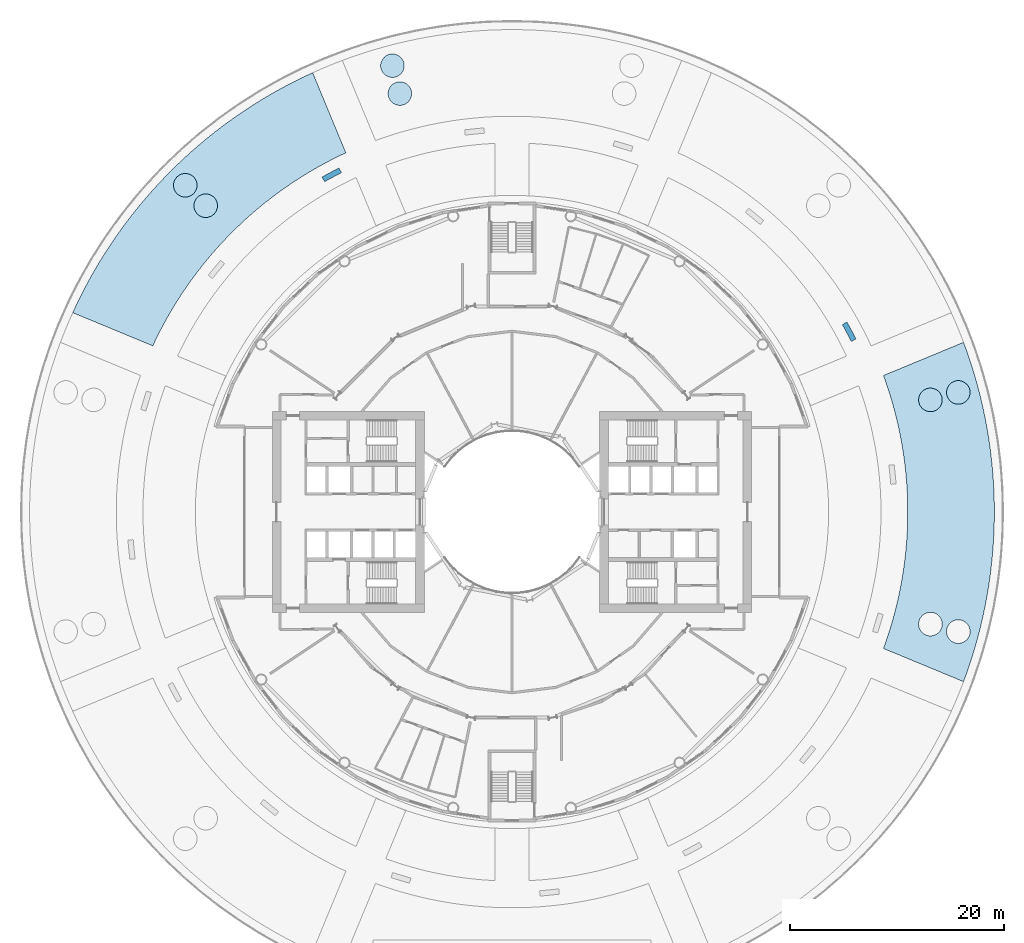
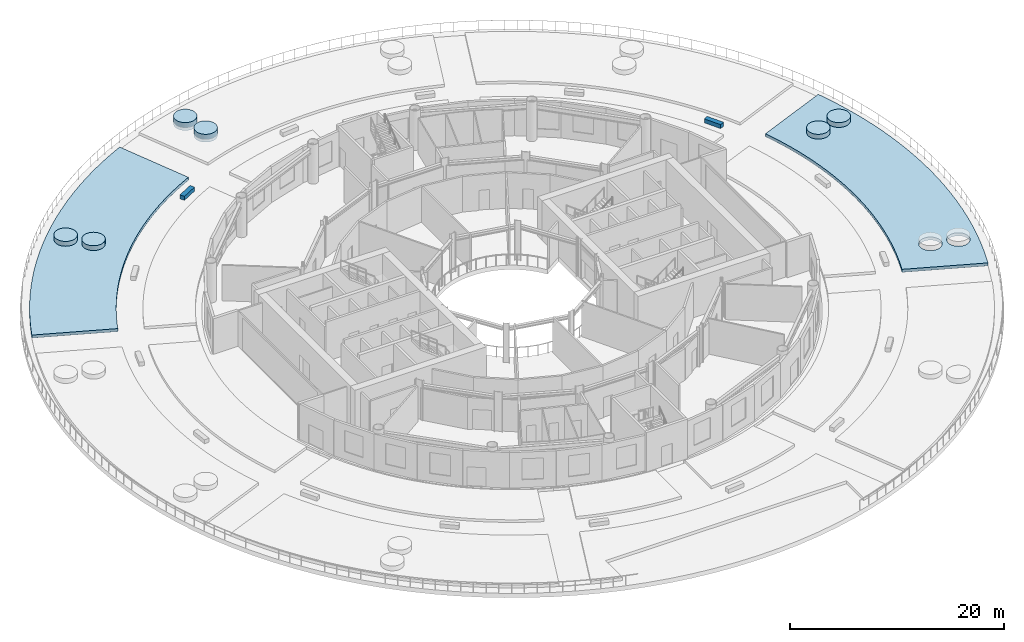
# One storey, part 8 of 19: 10 slabs.
"""IFC4 building model written with IfcOpenShell, lengths in metres."""

from ifc_helpers import new_model, si_unit, direction, frame, origin, place, context, subcontext, project, spatial, polyline, outline, extrude, material, layer, layer_set, type_object, element, save


model = new_model("IFC4")

# Units and contexts
model_context = context("Model", 3, precision=1e-05, world=origin(), true_north=direction((0.0, 1.0)))
body_context = subcontext(model_context, "Body", "Model", "MODEL_VIEW")
ifc_project = project(units=[si_unit("LENGTHUNIT", "METRE"), si_unit("AREAUNIT", "SQUARE_METRE"), si_unit("VOLUMEUNIT", "CUBIC_METRE"), si_unit("PLANEANGLEUNIT", "RADIAN"), si_unit("MASSUNIT", "GRAM", prefix="KILO")], contexts=[model_context])

# Site, building, storey
site_placement = place(None, origin())
site = spatial("IfcSite", under=ifc_project, at=site_placement, CompositionType="ELEMENT")
building_placement = place(site_placement, origin())
building = spatial("IfcBuilding", under=site, at=building_placement, Name="Maasbend Ring Residences", CompositionType="ELEMENT")
storey_placement = place(building_placement, frame((0.0, 0.0, 9.60009765625)))
storey = spatial("IfcBuildingStorey", under=building, at=storey_placement, Name="L02", CompositionType="ELEMENT", Elevation=9.60009765625)

# Slabs
ifc_material_1 = material(Name="Timber slats on steel frame", Category="steel")
ifc_layer_1 = layer(ifc_material_1, 0.449951171875)
ifc_layer_set_1 = layer_set([ifc_layer_1], Name="BENCH-DK")
slab_type_1 = type_object("IfcSlabType", Name="BENCH-DK", PredefinedType="USERDEFINED", material=ifc_layer_set_1)
slab_1_placement = place(storey_placement, frame((0.0, 0.0, 0.0498046875)))
element("IfcSlab", 1, at=slab_1_placement, inside=storey, type_object=slab_type_1, Name="Garden bench 2", ObjectType="BENCH", PredefinedType="USERDEFINED", context=body_context, shape_type="SweptSolid", body=[
    extrude(outline(polyline([(32.173095703125, 16.177001953125), (31.324951171875, 17.763916015625), (30.884033203125, 17.528076171875), (31.73193359375, 15.94091796875), (32.173095703125, 16.177001953125)])), origin(), (0.0, 0.0, 1.0), 0.4501953125),
])
slab_2_placement = place(storey_placement, frame((0.0, 0.0, 0.0498046875)))
element("IfcSlab", 2, at=slab_2_placement, inside=storey, type_object=slab_type_1, Name="Garden bench 6", ObjectType="BENCH", PredefinedType="USERDEFINED", context=body_context, shape_type="SweptSolid", body=[
    extrude(outline(polyline([(-16.177001953125, 32.173095703125), (-17.763916015625, 31.324951171875), (-17.528076171875, 30.884033203125), (-15.94091796875, 31.73193359375), (-16.177001953125, 32.173095703125)])), origin(), (0.0, 0.0, 1.0), 0.4501953125),
])
ifc_material_2 = material(Name="Lawn and planting")
ifc_layer_2 = layer(ifc_material_2, 0.89990234375)
ifc_layer_set_2 = layer_set([ifc_layer_2], Name="PLANTER-DK")
slab_type_2 = type_object("IfcSlabType", Name="PLANTER-DK", PredefinedType="USERDEFINED", material=ifc_layer_set_2)
slab_3_placement = place(storey_placement, origin())
element("IfcSlab", 3, at=slab_3_placement, inside=storey, type_object=slab_type_2, Name="Lawn and planting bed 1", ObjectType="PLANTER", PredefinedType="USERDEFINED", context=body_context, shape_type="SweptSolid", body=[
    extrude(outline(polyline([(45.0029296875, -2.949951171875), (44.948974609375, -3.68603515625), (44.883056640625, -4.4208984375), (44.803955078125, -5.154052734375), (44.714111328125, -5.886962890625), (44.612060546875, -6.617919921875), (44.498046875, -7.346923828125), (44.37109375, -8.073974609375), (44.23291015625, -8.799072265625), (44.083984375, -9.52099609375), (43.922119140625, -10.240966796875), (43.748046875, -10.9580078125), (43.56298828125, -11.673095703125), (43.365966796875, -12.384033203125), (43.157958984375, -13.092041015625), (42.93798828125, -13.7958984375), (42.70703125, -14.4970703125), (42.464111328125, -15.194091796875), (42.208984375, -15.885986328125), (42.218017578125, -15.864013671875), (34.72802734375, -12.760986328125), (34.8369140625, -12.465087890625), (35.035888671875, -11.89306640625), (35.22607421875, -11.318115234375), (35.406982421875, -10.740966796875), (35.577880859375, -10.159912109375), (35.739013671875, -9.575927734375), (35.89111328125, -8.989990234375), (36.032958984375, -8.402099609375), (36.166015625, -7.81103515625), (36.2890625, -7.218017578125), (36.402099609375, -6.6240234375), (36.506103515625, -6.027099609375), (36.60009765625, -5.428955078125), (36.68310546875, -4.8291015625), (36.758056640625, -4.22900390625), (36.822021484375, -3.626953125), (36.8759765625, -3.02392578125), (36.9208984375, -2.419921875), (36.955078125, -1.81591796875), (36.97998046875, -1.2109375), (36.9951171875, -0.60498046875), (37.0, 0.0), (36.9951171875, 0.60498046875), (36.97998046875, 1.2109375), (36.955078125, 1.81591796875), (36.9208984375, 2.419921875), (36.8759765625, 3.02392578125), (36.822021484375, 3.626953125), (36.758056640625, 4.22900390625), (36.68310546875, 4.8291015625), (36.60009765625, 5.428955078125), (36.506103515625, 6.027099609375), (36.402099609375, 6.6240234375), (36.2890625, 7.218017578125), (36.166015625, 7.81103515625), (36.032958984375, 8.402099609375), (35.89111328125, 8.989990234375), (35.739013671875, 9.575927734375), (35.577880859375, 10.159912109375), (35.406982421875, 10.740966796875), (35.22607421875, 11.318115234375), (35.035888671875, 11.89306640625), (34.8369140625, 12.465087890625), (34.72802734375, 12.760986328125), (42.218017578125, 15.864013671875), (42.208984375, 15.885986328125), (42.464111328125, 15.194091796875), (42.70703125, 14.4970703125), (42.93798828125, 13.7958984375), (43.157958984375, 13.092041015625), (43.365966796875, 12.384033203125), (43.56298828125, 11.673095703125), (43.748046875, 10.9580078125), (43.922119140625, 10.240966796875), (44.083984375, 9.52099609375), (44.23291015625, 8.799072265625), (44.37109375, 8.073974609375), (44.498046875, 7.346923828125), (44.612060546875, 6.617919921875), (44.714111328125, 5.886962890625), (44.803955078125, 5.154052734375), (44.883056640625, 4.4208984375), (44.948974609375, 3.68603515625), (45.0029296875, 2.949951171875), (45.0458984375, 2.212890625), (45.075927734375, 1.47607421875), (45.093994140625, 0.738037109375), (45.10009765625, 0.0), (45.093994140625, -0.738037109375), (45.075927734375, -1.47607421875), (45.0458984375, -2.212890625), (45.0029296875, -2.949951171875)]), holes=[polyline([(42.743896484375, 10.760009765625), (42.791015625, 10.89599609375), (42.819091796875, 11.037109375), (42.827880859375, 11.180908203125), (42.819091796875, 11.324951171875), (42.791015625, 11.466064453125), (42.743896484375, 11.60205078125), (42.680908203125, 11.73095703125), (42.60107421875, 11.85107421875), (42.506103515625, 11.958984375), (42.39794921875, 12.053955078125), (42.278076171875, 12.134033203125), (42.14892578125, 12.197021484375), (42.012939453125, 12.243896484375), (41.8720703125, 12.27197265625), (41.72802734375, 12.281005859375), (41.583984375, 12.27197265625), (41.443115234375, 12.243896484375), (41.306884765625, 12.197021484375), (41.177978515625, 12.134033203125), (41.05810546875, 12.053955078125), (40.949951171875, 11.958984375), (40.85498046875, 11.85107421875), (40.77490234375, 11.73095703125), (40.7119140625, 11.60205078125), (40.6650390625, 11.466064453125), (40.636962890625, 11.324951171875), (40.6279296875, 11.180908203125), (40.636962890625, 11.037109375), (40.6650390625, 10.89599609375), (40.7119140625, 10.760009765625), (40.77490234375, 10.631103515625), (40.85498046875, 10.510986328125), (40.949951171875, 10.403076171875), (41.05810546875, 10.30810546875), (41.177978515625, 10.22802734375), (41.306884765625, 10.1650390625), (41.443115234375, 10.117919921875), (41.583984375, 10.090087890625), (41.72802734375, 10.0810546875), (41.8720703125, 10.090087890625), (42.012939453125, 10.117919921875), (42.14892578125, 10.1650390625), (42.278076171875, 10.22802734375), (42.39794921875, 10.30810546875), (42.506103515625, 10.403076171875), (42.60107421875, 10.510986328125), (42.680908203125, 10.631103515625), (42.743896484375, 10.760009765625)]), polyline([(42.743896484375, -11.60205078125), (42.791015625, -11.466064453125), (42.819091796875, -11.324951171875), (42.827880859375, -11.180908203125), (42.819091796875, -11.037109375), (42.791015625, -10.89599609375), (42.743896484375, -10.760009765625), (42.680908203125, -10.631103515625), (42.60107421875, -10.510986328125), (42.506103515625, -10.403076171875), (42.39794921875, -10.30810546875), (42.278076171875, -10.22802734375), (42.14892578125, -10.1650390625), (42.012939453125, -10.117919921875), (41.8720703125, -10.090087890625), (41.72802734375, -10.0810546875), (41.583984375, -10.090087890625), (41.443115234375, -10.117919921875), (41.306884765625, -10.1650390625), (41.177978515625, -10.22802734375), (41.05810546875, -10.30810546875), (40.949951171875, -10.403076171875), (40.85498046875, -10.510986328125), (40.77490234375, -10.631103515625), (40.7119140625, -10.760009765625), (40.6650390625, -10.89599609375), (40.636962890625, -11.037109375), (40.6279296875, -11.180908203125), (40.636962890625, -11.324951171875), (40.6650390625, -11.466064453125), (40.7119140625, -11.60205078125), (40.77490234375, -11.73095703125), (40.85498046875, -11.85107421875), (40.949951171875, -11.958984375), (41.05810546875, -12.053955078125), (41.177978515625, -12.134033203125), (41.306884765625, -12.197021484375), (41.443115234375, -12.243896484375), (41.583984375, -12.27197265625), (41.72802734375, -12.281005859375), (41.8720703125, -12.27197265625), (42.012939453125, -12.243896484375), (42.14892578125, -12.197021484375), (42.278076171875, -12.134033203125), (42.39794921875, -12.053955078125), (42.506103515625, -11.958984375), (42.60107421875, -11.85107421875), (42.680908203125, -11.73095703125), (42.743896484375, -11.60205078125)]), polyline([(40.072998046875, 9.931884765625), (40.135986328125, 10.06103515625), (40.18310546875, 10.197021484375), (40.2109375, 10.339111328125), (40.219970703125, 10.48193359375), (40.2109375, 10.6259765625), (40.18310546875, 10.76708984375), (40.135986328125, 10.903076171875), (40.072998046875, 11.031982421875), (39.992919921875, 11.152099609375), (39.89794921875, 11.260009765625), (39.7900390625, 11.35498046875), (39.669921875, 11.43505859375), (39.541015625, 11.498046875), (39.405029296875, 11.544921875), (39.263916015625, 11.572998046875), (39.1201171875, 11.58203125), (38.97607421875, 11.572998046875), (38.8349609375, 11.544921875), (38.698974609375, 11.498046875), (38.570068359375, 11.43505859375), (38.449951171875, 11.35498046875), (38.342041015625, 11.260009765625), (38.2470703125, 11.152099609375), (38.1669921875, 11.031982421875), (38.10400390625, 10.903076171875), (38.056884765625, 10.76708984375), (38.029052734375, 10.6259765625), (38.02001953125, 10.48193359375), (38.029052734375, 10.339111328125), (38.056884765625, 10.197021484375), (38.10400390625, 10.06103515625), (38.1669921875, 9.931884765625), (38.2470703125, 9.81298828125), (38.342041015625, 9.7041015625), (38.449951171875, 9.60888671875), (38.570068359375, 9.530029296875), (38.698974609375, 9.466064453125), (38.8349609375, 9.419921875), (38.97607421875, 9.39208984375), (39.1201171875, 9.382080078125), (39.263916015625, 9.39208984375), (39.405029296875, 9.419921875), (39.541015625, 9.466064453125), (39.669921875, 9.530029296875), (39.7900390625, 9.60888671875), (39.89794921875, 9.7041015625), (39.992919921875, 9.81298828125), (40.072998046875, 9.931884765625)]), polyline([(40.072998046875, -11.031982421875), (40.135986328125, -10.903076171875), (40.18310546875, -10.76708984375), (40.2109375, -10.6259765625), (40.219970703125, -10.48193359375), (40.2109375, -10.339111328125), (40.18310546875, -10.197021484375), (40.135986328125, -10.06103515625), (40.072998046875, -9.931884765625), (39.992919921875, -9.81298828125), (39.89794921875, -9.7041015625), (39.7900390625, -9.60888671875), (39.669921875, -9.530029296875), (39.541015625, -9.466064453125), (39.405029296875, -9.419921875), (39.263916015625, -9.39208984375), (39.1201171875, -9.382080078125), (38.97607421875, -9.39208984375), (38.8349609375, -9.419921875), (38.698974609375, -9.466064453125), (38.570068359375, -9.530029296875), (38.449951171875, -9.60888671875), (38.342041015625, -9.7041015625), (38.2470703125, -9.81298828125), (38.1669921875, -9.931884765625), (38.10400390625, -10.06103515625), (38.056884765625, -10.197021484375), (38.029052734375, -10.339111328125), (38.02001953125, -10.48193359375), (38.029052734375, -10.6259765625), (38.056884765625, -10.76708984375), (38.10400390625, -10.903076171875), (38.1669921875, -11.031982421875), (38.2470703125, -11.152099609375), (38.342041015625, -11.260009765625), (38.449951171875, -11.35498046875), (38.570068359375, -11.43505859375), (38.698974609375, -11.498046875), (38.8349609375, -11.544921875), (38.97607421875, -11.572998046875), (39.1201171875, -11.58203125), (39.263916015625, -11.572998046875), (39.405029296875, -11.544921875), (39.541015625, -11.498046875), (39.669921875, -11.43505859375), (39.7900390625, -11.35498046875), (39.89794921875, -11.260009765625), (39.992919921875, -11.152099609375), (40.072998046875, -11.031982421875)])]), origin(), (0.0, 0.0, 1.0), 0.349853515625),
])
slab_4_placement = place(storey_placement, origin())
element("IfcSlab", 4, at=slab_4_placement, inside=storey, type_object=slab_type_2, Name="Lawn and planting bed 6", ObjectType="PLANTER", PredefinedType="USERDEFINED", context=body_context, shape_type="SweptSolid", body=[
    extrude(outline(polyline([(-40.448974609375, 19.947021484375), (-40.116943359375, 20.60595703125), (-39.77490234375, 21.260009765625), (-39.4208984375, 21.907958984375), (-39.05810546875, 22.550048828125), (-38.68408203125, 23.18603515625), (-38.299072265625, 23.81591796875), (-37.904052734375, 24.43896484375), (-37.4990234375, 25.055908203125), (-37.083984375, 25.666015625), (-36.658935546875, 26.27001953125), (-36.22509765625, 26.865966796875), (-35.780029296875, 27.455078125), (-35.325927734375, 28.037109375), (-34.863037109375, 28.611083984375), (-34.389892578125, 29.177978515625), (-33.907958984375, 29.736083984375), (-33.4169921875, 30.287109375), (-32.9169921875, 30.830078125), (-32.407958984375, 31.364013671875), (-31.89111328125, 31.89111328125), (-31.364013671875, 32.407958984375), (-30.830078125, 32.9169921875), (-30.287109375, 33.4169921875), (-29.736083984375, 33.907958984375), (-29.177978515625, 34.389892578125), (-28.611083984375, 34.863037109375), (-28.037109375, 35.325927734375), (-27.455078125, 35.780029296875), (-26.865966796875, 36.22509765625), (-26.27001953125, 36.658935546875), (-25.666015625, 37.083984375), (-25.055908203125, 37.4990234375), (-24.43896484375, 37.904052734375), (-23.81591796875, 38.299072265625), (-23.18603515625, 38.68408203125), (-22.550048828125, 39.05810546875), (-21.907958984375, 39.4208984375), (-21.260009765625, 39.77490234375), (-20.60595703125, 40.116943359375), (-19.947021484375, 40.448974609375), (-19.282958984375, 40.77001953125), (-18.613037109375, 41.080078125), (-18.635009765625, 41.070068359375), (-15.532958984375, 33.580078125), (-15.820068359375, 33.447998046875), (-16.364990234375, 33.18408203125), (-16.905029296875, 32.912109375), (-17.44189453125, 32.631103515625), (-17.972900390625, 32.341064453125), (-18.5, 32.04296875), (-19.02197265625, 31.736083984375), (-19.5390625, 31.419921875), (-20.050048828125, 31.096923828125), (-20.555908203125, 30.763916015625), (-21.056884765625, 30.424072265625), (-21.552001953125, 30.074951171875), (-22.041015625, 29.718994140625), (-22.52392578125, 29.35400390625), (-23.0009765625, 28.98193359375), (-23.472900390625, 28.60107421875), (-23.93701171875, 28.214111328125), (-24.39599609375, 27.818115234375), (-24.847900390625, 27.4150390625), (-25.29296875, 27.0048828125), (-25.73095703125, 26.587890625), (-26.1630859375, 26.1630859375), (-26.587890625, 25.73095703125), (-27.0048828125, 25.29296875), (-27.4150390625, 24.847900390625), (-27.818115234375, 24.39599609375), (-28.214111328125, 23.93701171875), (-28.60107421875, 23.472900390625), (-28.98193359375, 23.0009765625), (-29.35400390625, 22.52392578125), (-29.718994140625, 22.041015625), (-30.074951171875, 21.552001953125), (-30.424072265625, 21.056884765625), (-30.763916015625, 20.555908203125), (-31.096923828125, 20.050048828125), (-31.419921875, 19.5390625), (-31.736083984375, 19.02197265625), (-32.04296875, 18.5), (-32.341064453125, 17.972900390625), (-32.631103515625, 17.44189453125), (-32.912109375, 16.905029296875), (-33.18408203125, 16.364990234375), (-33.447998046875, 15.820068359375), (-33.580078125, 15.532958984375), (-41.070068359375, 18.635009765625), (-40.77001953125, 19.282958984375), (-40.448974609375, 19.947021484375)]), holes=[polyline([(-27.6220703125, 28.217041015625), (-27.574951171875, 28.35302734375), (-27.547119140625, 28.493896484375), (-27.5380859375, 28.637939453125), (-27.547119140625, 28.781005859375), (-27.574951171875, 28.923095703125), (-27.6220703125, 29.05908203125), (-27.68505859375, 29.18798828125), (-27.764892578125, 29.306884765625), (-27.860107421875, 29.416015625), (-27.968017578125, 29.510986328125), (-28.087890625, 29.590087890625), (-28.217041015625, 29.654052734375), (-28.35302734375, 29.699951171875), (-28.493896484375, 29.72802734375), (-28.637939453125, 29.738037109375), (-28.781005859375, 29.72802734375), (-28.923095703125, 29.699951171875), (-29.05908203125, 29.654052734375), (-29.18798828125, 29.590087890625), (-29.306884765625, 29.510986328125), (-29.416015625, 29.416015625), (-29.510986328125, 29.306884765625), (-29.590087890625, 29.18798828125), (-29.654052734375, 29.05908203125), (-29.699951171875, 28.923095703125), (-29.72802734375, 28.781005859375), (-29.738037109375, 28.637939453125), (-29.72802734375, 28.493896484375), (-29.699951171875, 28.35302734375), (-29.654052734375, 28.217041015625), (-29.590087890625, 28.087890625), (-29.510986328125, 27.968017578125), (-29.416015625, 27.860107421875), (-29.306884765625, 27.764892578125), (-29.18798828125, 27.68505859375), (-29.05908203125, 27.6220703125), (-28.923095703125, 27.574951171875), (-28.781005859375, 27.547119140625), (-28.637939453125, 27.5380859375), (-28.493896484375, 27.547119140625), (-28.35302734375, 27.574951171875), (-28.217041015625, 27.6220703125), (-28.087890625, 27.68505859375), (-27.968017578125, 27.764892578125), (-27.860107421875, 27.860107421875), (-27.764892578125, 27.968017578125), (-27.68505859375, 28.087890625), (-27.6220703125, 28.217041015625)]), polyline([(-29.531005859375, 30.1259765625), (-29.48388671875, 30.261962890625), (-29.4560546875, 30.403076171875), (-29.447021484375, 30.547119140625), (-29.4560546875, 30.69091796875), (-29.48388671875, 30.83203125), (-29.531005859375, 30.968017578125), (-29.593994140625, 31.096923828125), (-29.674072265625, 31.217041015625), (-29.76904296875, 31.324951171875), (-29.876953125, 31.419921875), (-29.9970703125, 31.5), (-30.1259765625, 31.56298828125), (-30.261962890625, 31.610107421875), (-30.403076171875, 31.637939453125), (-30.547119140625, 31.64697265625), (-30.69091796875, 31.637939453125), (-30.83203125, 31.610107421875), (-30.968017578125, 31.56298828125), (-31.096923828125, 31.5), (-31.217041015625, 31.419921875), (-31.324951171875, 31.324951171875), (-31.419921875, 31.217041015625), (-31.5, 31.096923828125), (-31.56298828125, 30.968017578125), (-31.610107421875, 30.83203125), (-31.637939453125, 30.69091796875), (-31.64697265625, 30.547119140625), (-31.637939453125, 30.403076171875), (-31.610107421875, 30.261962890625), (-31.56298828125, 30.1259765625), (-31.5, 29.9970703125), (-31.419921875, 29.876953125), (-31.324951171875, 29.76904296875), (-31.217041015625, 29.674072265625), (-31.096923828125, 29.593994140625), (-30.968017578125, 29.531005859375), (-30.83203125, 29.48388671875), (-30.69091796875, 29.4560546875), (-30.547119140625, 29.447021484375), (-30.403076171875, 29.4560546875), (-30.261962890625, 29.48388671875), (-30.1259765625, 29.531005859375), (-29.9970703125, 29.593994140625), (-29.876953125, 29.674072265625), (-29.76904296875, 29.76904296875), (-29.674072265625, 29.876953125), (-29.593994140625, 29.9970703125), (-29.531005859375, 30.1259765625)])]), origin(), (0.0, 0.0, 1.0), 0.349853515625),
])
slab_5_placement = place(storey_placement, origin())
element("IfcSlab", 5, at=slab_5_placement, inside=storey, type_object=slab_type_2, Name="Tree planter 1", ObjectType="PLANTER", PredefinedType="USERDEFINED", context=body_context, shape_type="SweptSolid", body=[
    extrude(outline(polyline([(40.219970703125, 10.48193359375), (40.2109375, 10.339111328125), (40.18310546875, 10.197021484375), (40.135986328125, 10.06103515625), (40.072998046875, 9.931884765625), (39.992919921875, 9.81298828125), (39.89794921875, 9.7041015625), (39.7900390625, 9.60888671875), (39.669921875, 9.530029296875), (39.541015625, 9.466064453125), (39.405029296875, 9.419921875), (39.263916015625, 9.39208984375), (39.1201171875, 9.382080078125), (38.97607421875, 9.39208984375), (38.8349609375, 9.419921875), (38.698974609375, 9.466064453125), (38.570068359375, 9.530029296875), (38.449951171875, 9.60888671875), (38.342041015625, 9.7041015625), (38.2470703125, 9.81298828125), (38.1669921875, 9.931884765625), (38.10400390625, 10.06103515625), (38.056884765625, 10.197021484375), (38.029052734375, 10.339111328125), (38.02001953125, 10.48193359375), (38.029052734375, 10.6259765625), (38.056884765625, 10.76708984375), (38.10400390625, 10.903076171875), (38.1669921875, 11.031982421875), (38.2470703125, 11.152099609375), (38.342041015625, 11.260009765625), (38.449951171875, 11.35498046875), (38.570068359375, 11.43505859375), (38.698974609375, 11.498046875), (38.8349609375, 11.544921875), (38.97607421875, 11.572998046875), (39.1201171875, 11.58203125), (39.263916015625, 11.572998046875), (39.405029296875, 11.544921875), (39.541015625, 11.498046875), (39.669921875, 11.43505859375), (39.7900390625, 11.35498046875), (39.89794921875, 11.260009765625), (39.992919921875, 11.152099609375), (40.072998046875, 11.031982421875), (40.135986328125, 10.903076171875), (40.18310546875, 10.76708984375), (40.2109375, 10.6259765625), (40.219970703125, 10.48193359375)])), origin(), (0.0, 0.0, 1.0), 0.89990234375),
])
slab_6_placement = place(storey_placement, origin())
element("IfcSlab", 6, at=slab_6_placement, inside=storey, type_object=slab_type_2, Name="Tree planter 4", ObjectType="PLANTER", PredefinedType="USERDEFINED", context=body_context, shape_type="SweptSolid", body=[
    extrude(outline(polyline([(-9.382080078125, 39.1201171875), (-9.39208984375, 38.97607421875), (-9.419921875, 38.8349609375), (-9.466064453125, 38.698974609375), (-9.530029296875, 38.570068359375), (-9.60888671875, 38.449951171875), (-9.7041015625, 38.342041015625), (-9.81298828125, 38.2470703125), (-9.931884765625, 38.1669921875), (-10.06103515625, 38.10400390625), (-10.197021484375, 38.056884765625), (-10.339111328125, 38.029052734375), (-10.48193359375, 38.02001953125), (-10.6259765625, 38.029052734375), (-10.76708984375, 38.056884765625), (-10.903076171875, 38.10400390625), (-11.031982421875, 38.1669921875), (-11.152099609375, 38.2470703125), (-11.260009765625, 38.342041015625), (-11.35498046875, 38.449951171875), (-11.43505859375, 38.570068359375), (-11.498046875, 38.698974609375), (-11.544921875, 38.8349609375), (-11.572998046875, 38.97607421875), (-11.58203125, 39.1201171875), (-11.572998046875, 39.263916015625), (-11.544921875, 39.405029296875), (-11.498046875, 39.541015625), (-11.43505859375, 39.669921875), (-11.35498046875, 39.7900390625), (-11.260009765625, 39.89794921875), (-11.152099609375, 39.992919921875), (-11.031982421875, 40.072998046875), (-10.903076171875, 40.135986328125), (-10.76708984375, 40.18310546875), (-10.6259765625, 40.2109375), (-10.48193359375, 40.219970703125), (-10.339111328125, 40.2109375), (-10.197021484375, 40.18310546875), (-10.06103515625, 40.135986328125), (-9.931884765625, 40.072998046875), (-9.81298828125, 39.992919921875), (-9.7041015625, 39.89794921875), (-9.60888671875, 39.7900390625), (-9.530029296875, 39.669921875), (-9.466064453125, 39.541015625), (-9.419921875, 39.405029296875), (-9.39208984375, 39.263916015625), (-9.382080078125, 39.1201171875)])), origin(), (0.0, 0.0, 1.0), 0.89990234375),
])
slab_7_placement = place(storey_placement, origin())
element("IfcSlab", 7, at=slab_7_placement, inside=storey, type_object=slab_type_2, Name="Tree planter 5", ObjectType="PLANTER", PredefinedType="USERDEFINED", context=body_context, shape_type="SweptSolid", body=[
    extrude(outline(polyline([(-27.5380859375, 28.637939453125), (-27.547119140625, 28.493896484375), (-27.574951171875, 28.35302734375), (-27.6220703125, 28.217041015625), (-27.68505859375, 28.087890625), (-27.764892578125, 27.968017578125), (-27.860107421875, 27.860107421875), (-27.968017578125, 27.764892578125), (-28.087890625, 27.68505859375), (-28.217041015625, 27.6220703125), (-28.35302734375, 27.574951171875), (-28.493896484375, 27.547119140625), (-28.637939453125, 27.5380859375), (-28.781005859375, 27.547119140625), (-28.923095703125, 27.574951171875), (-29.05908203125, 27.6220703125), (-29.18798828125, 27.68505859375), (-29.306884765625, 27.764892578125), (-29.416015625, 27.860107421875), (-29.510986328125, 27.968017578125), (-29.590087890625, 28.087890625), (-29.654052734375, 28.217041015625), (-29.699951171875, 28.35302734375), (-29.72802734375, 28.493896484375), (-29.738037109375, 28.637939453125), (-29.72802734375, 28.781005859375), (-29.699951171875, 28.923095703125), (-29.654052734375, 29.05908203125), (-29.590087890625, 29.18798828125), (-29.510986328125, 29.306884765625), (-29.416015625, 29.416015625), (-29.306884765625, 29.510986328125), (-29.18798828125, 29.590087890625), (-29.05908203125, 29.654052734375), (-28.923095703125, 29.699951171875), (-28.781005859375, 29.72802734375), (-28.637939453125, 29.738037109375), (-28.493896484375, 29.72802734375), (-28.35302734375, 29.699951171875), (-28.217041015625, 29.654052734375), (-28.087890625, 29.590087890625), (-27.968017578125, 29.510986328125), (-27.860107421875, 29.416015625), (-27.764892578125, 29.306884765625), (-27.68505859375, 29.18798828125), (-27.6220703125, 29.05908203125), (-27.574951171875, 28.923095703125), (-27.547119140625, 28.781005859375), (-27.5380859375, 28.637939453125)])), origin(), (0.0, 0.0, 1.0), 0.89990234375),
])
slab_8_placement = place(storey_placement, origin())
element("IfcSlab", 8, at=slab_8_placement, inside=storey, type_object=slab_type_2, Name="Tree planter 11", ObjectType="PLANTER", PredefinedType="USERDEFINED", context=body_context, shape_type="SweptSolid", body=[
    extrude(outline(polyline([(42.827880859375, 11.180908203125), (42.819091796875, 11.037109375), (42.791015625, 10.89599609375), (42.743896484375, 10.760009765625), (42.680908203125, 10.631103515625), (42.60107421875, 10.510986328125), (42.506103515625, 10.403076171875), (42.39794921875, 10.30810546875), (42.278076171875, 10.22802734375), (42.14892578125, 10.1650390625), (42.012939453125, 10.117919921875), (41.8720703125, 10.090087890625), (41.72802734375, 10.0810546875), (41.583984375, 10.090087890625), (41.443115234375, 10.117919921875), (41.306884765625, 10.1650390625), (41.177978515625, 10.22802734375), (41.05810546875, 10.30810546875), (40.949951171875, 10.403076171875), (40.85498046875, 10.510986328125), (40.77490234375, 10.631103515625), (40.7119140625, 10.760009765625), (40.6650390625, 10.89599609375), (40.636962890625, 11.037109375), (40.6279296875, 11.180908203125), (40.636962890625, 11.324951171875), (40.6650390625, 11.466064453125), (40.7119140625, 11.60205078125), (40.77490234375, 11.73095703125), (40.85498046875, 11.85107421875), (40.949951171875, 11.958984375), (41.05810546875, 12.053955078125), (41.177978515625, 12.134033203125), (41.306884765625, 12.197021484375), (41.443115234375, 12.243896484375), (41.583984375, 12.27197265625), (41.72802734375, 12.281005859375), (41.8720703125, 12.27197265625), (42.012939453125, 12.243896484375), (42.14892578125, 12.197021484375), (42.278076171875, 12.134033203125), (42.39794921875, 12.053955078125), (42.506103515625, 11.958984375), (42.60107421875, 11.85107421875), (42.680908203125, 11.73095703125), (42.743896484375, 11.60205078125), (42.791015625, 11.466064453125), (42.819091796875, 11.324951171875), (42.827880859375, 11.180908203125)])), origin(), (0.0, 0.0, 1.0), 0.89990234375),
])
slab_9_placement = place(storey_placement, origin())
element("IfcSlab", 9, at=slab_9_placement, inside=storey, type_object=slab_type_2, Name="Tree planter 14", ObjectType="PLANTER", PredefinedType="USERDEFINED", context=body_context, shape_type="SweptSolid", body=[
    extrude(outline(polyline([(-10.0810546875, 41.72802734375), (-10.090087890625, 41.583984375), (-10.117919921875, 41.443115234375), (-10.1650390625, 41.306884765625), (-10.22802734375, 41.177978515625), (-10.30810546875, 41.05810546875), (-10.403076171875, 40.949951171875), (-10.510986328125, 40.85498046875), (-10.631103515625, 40.77490234375), (-10.760009765625, 40.7119140625), (-10.89599609375, 40.6650390625), (-11.037109375, 40.636962890625), (-11.180908203125, 40.6279296875), (-11.324951171875, 40.636962890625), (-11.466064453125, 40.6650390625), (-11.60205078125, 40.7119140625), (-11.73095703125, 40.77490234375), (-11.85107421875, 40.85498046875), (-11.958984375, 40.949951171875), (-12.053955078125, 41.05810546875), (-12.134033203125, 41.177978515625), (-12.197021484375, 41.306884765625), (-12.243896484375, 41.443115234375), (-12.27197265625, 41.583984375), (-12.281005859375, 41.72802734375), (-12.27197265625, 41.8720703125), (-12.243896484375, 42.012939453125), (-12.197021484375, 42.14892578125), (-12.134033203125, 42.278076171875), (-12.053955078125, 42.39794921875), (-11.958984375, 42.506103515625), (-11.85107421875, 42.60107421875), (-11.73095703125, 42.680908203125), (-11.60205078125, 42.743896484375), (-11.466064453125, 42.791015625), (-11.324951171875, 42.819091796875), (-11.180908203125, 42.827880859375), (-11.037109375, 42.819091796875), (-10.89599609375, 42.791015625), (-10.760009765625, 42.743896484375), (-10.631103515625, 42.680908203125), (-10.510986328125, 42.60107421875), (-10.403076171875, 42.506103515625), (-10.30810546875, 42.39794921875), (-10.22802734375, 42.278076171875), (-10.1650390625, 42.14892578125), (-10.117919921875, 42.012939453125), (-10.090087890625, 41.8720703125), (-10.0810546875, 41.72802734375)])), origin(), (0.0, 0.0, 1.0), 0.89990234375),
])
slab_10_placement = place(storey_placement, origin())
element("IfcSlab", 10, at=slab_10_placement, inside=storey, type_object=slab_type_2, Name="Tree planter 15", ObjectType="PLANTER", PredefinedType="USERDEFINED", context=body_context, shape_type="SweptSolid", body=[
    extrude(outline(polyline([(-29.447021484375, 30.547119140625), (-29.4560546875, 30.403076171875), (-29.48388671875, 30.261962890625), (-29.531005859375, 30.1259765625), (-29.593994140625, 29.9970703125), (-29.674072265625, 29.876953125), (-29.76904296875, 29.76904296875), (-29.876953125, 29.674072265625), (-29.9970703125, 29.593994140625), (-30.1259765625, 29.531005859375), (-30.261962890625, 29.48388671875), (-30.403076171875, 29.4560546875), (-30.547119140625, 29.447021484375), (-30.69091796875, 29.4560546875), (-30.83203125, 29.48388671875), (-30.968017578125, 29.531005859375), (-31.096923828125, 29.593994140625), (-31.217041015625, 29.674072265625), (-31.324951171875, 29.76904296875), (-31.419921875, 29.876953125), (-31.5, 29.9970703125), (-31.56298828125, 30.1259765625), (-31.610107421875, 30.261962890625), (-31.637939453125, 30.403076171875), (-31.64697265625, 30.547119140625), (-31.637939453125, 30.69091796875), (-31.610107421875, 30.83203125), (-31.56298828125, 30.968017578125), (-31.5, 31.096923828125), (-31.419921875, 31.217041015625), (-31.324951171875, 31.324951171875), (-31.217041015625, 31.419921875), (-31.096923828125, 31.5), (-30.968017578125, 31.56298828125), (-30.83203125, 31.610107421875), (-30.69091796875, 31.637939453125), (-30.547119140625, 31.64697265625), (-30.403076171875, 31.637939453125), (-30.261962890625, 31.610107421875), (-30.1259765625, 31.56298828125), (-29.9970703125, 31.5), (-29.876953125, 31.419921875), (-29.76904296875, 31.324951171875), (-29.674072265625, 31.217041015625), (-29.593994140625, 31.096923828125), (-29.531005859375, 30.968017578125), (-29.48388671875, 30.83203125), (-29.4560546875, 30.69091796875), (-29.447021484375, 30.547119140625)])), origin(), (0.0, 0.0, 1.0), 0.89990234375),
])

save(model, "model.ifc")
